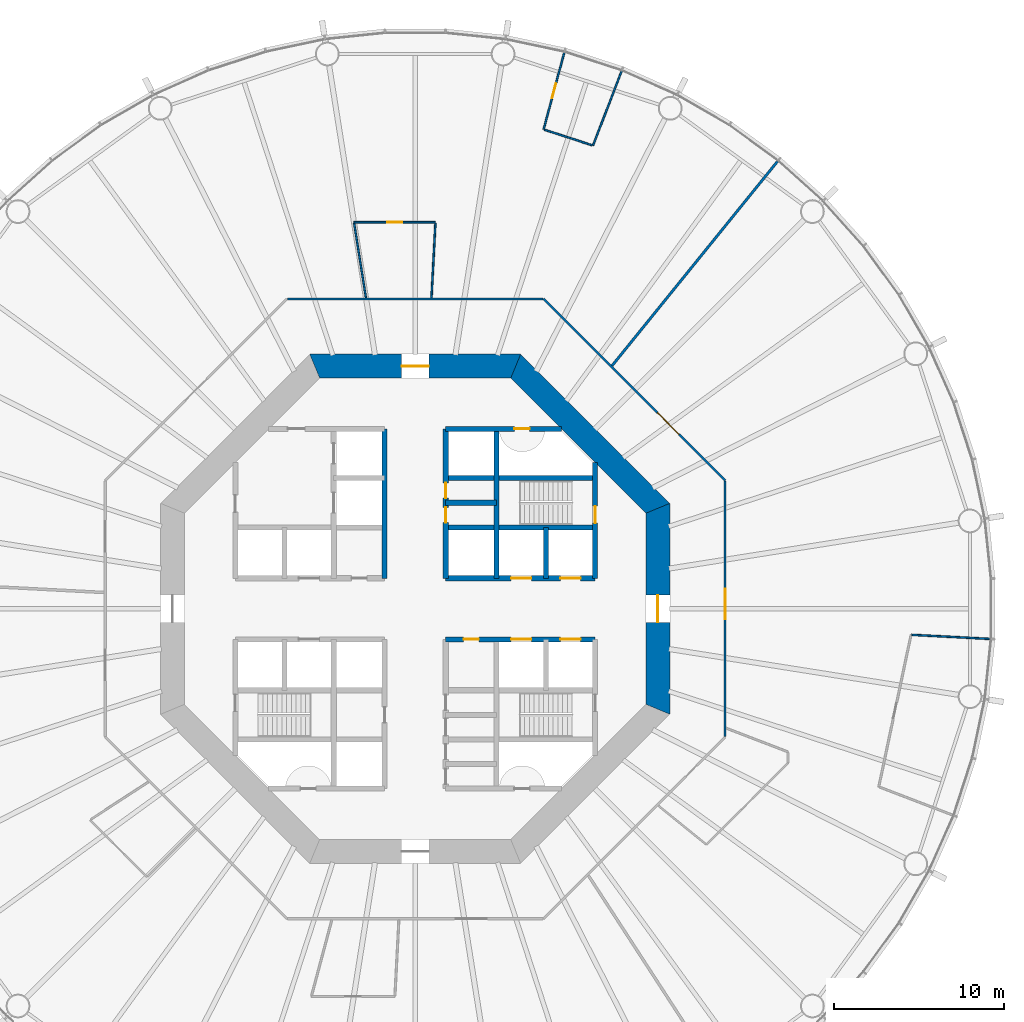
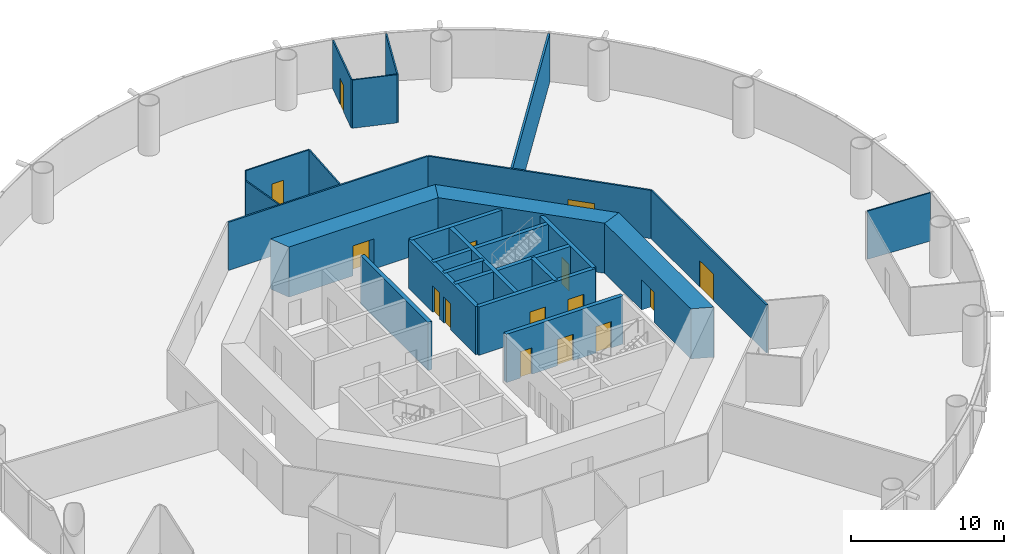
# One storey, part 5 of 13: 25 walls, 15 doors, 15 openings.
"""IFC4 building model written with IfcOpenShell, lengths in metres."""

from ifc_helpers import new_model, si_unit, direction, frame, frame_2d, origin, place, context, subcontext, project, spatial, polyline, rectangle, outline, extrude, material, layer, layer_set, type_object, element, fill, save


model = new_model("IFC4")

# Units and contexts
model_context = context("Model", 3, precision=1e-05, world=origin(), true_north=direction((0.0, 1.0)))
body_context = subcontext(model_context, "Body", "Model", "MODEL_VIEW")
ifc_project = project(units=[si_unit("LENGTHUNIT", "METRE"), si_unit("AREAUNIT", "SQUARE_METRE"), si_unit("VOLUMEUNIT", "CUBIC_METRE"), si_unit("PLANEANGLEUNIT", "RADIAN"), si_unit("MASSUNIT", "GRAM", prefix="KILO")], contexts=[model_context])

# Site, building, storey
site_placement = place(None, origin())
site = spatial("IfcSite", under=ifc_project, at=site_placement, CompositionType="ELEMENT")
building_placement = place(site_placement, origin())
building = spatial("IfcBuilding", under=site, at=building_placement, Name="Entoto Ring Tower", CompositionType="ELEMENT")
storey_placement = place(building_placement, frame((0.0, 0.0, 50.0)))
storey = spatial("IfcBuildingStorey", under=building, at=storey_placement, Name="L10", CompositionType="ELEMENT", Elevation=50.0)

# Wall, opening, door
ifc_material_1 = material(Name="Concrete C40/50", Category="concrete")
ifc_layer_1 = layer(ifc_material_1, 0.300048828125)
ifc_layer_set_1 = layer_set([ifc_layer_1], Name="Concrete C40/50")
wall_type_1 = type_object("IfcWallType", Name="Core enclosure wall 300 mm reinforced concrete", PredefinedType="SOLIDWALL", material=ifc_layer_set_1)
wall_1_placement = place(storey_placement, frame((100.60009765625, 81.800048828125, 0.0), z_axis=(0.0, 0.0, 1.0), x_axis=(0.0, 1.0, 0.0)))
wall_1 = element("IfcWall", 1, at=wall_1_placement, inside=storey, type_object=wall_type_1, Name="wall-L10-002", PredefinedType="SOLIDWALL", context=body_context, shape_type="SweptSolid", body=[
    extrude(rectangle(XDim=6.833251953125, YDim=0.300048828125, at=frame_2d((3.41650390625, 0.0))), origin(), (0.0, 0.0, 1.0), 3.85009765625),
])
opening_1_placement = place(wall_1_placement, frame((3.25, 0.0, 0.0)))
opening_1 = element("IfcOpeningElement", 2, at=opening_1_placement, cuts=wall_1, Name="Opening K-65", PredefinedType="OPENING", context=body_context, shape_type="SweptSolid", body=[
    extrude(rectangle(XDim=1.0, YDim=2.10009765625, at=frame_2d((0.5, 1.050048828125))), frame((0.0, 0.16015625, 0.0), z_axis=(0.0, -1.0, 0.0), x_axis=(1.0, 0.0, 0.0)), (0.0, 0.0, 1.0), 0.320068359375),
])
ifc_material_2 = material(Name="Steel door leaf, fire rated", Category="steel")
ifc_layer_2 = layer(ifc_material_2, 0.050048828125)
ifc_layer_set_2 = layer_set([ifc_layer_2], Name="Steel door leaf, fire rated")
door_type_1 = type_object("IfcDoorType", Name="Fire door FD60 1000 x 2100 single leaf", OperationType="NOTDEFINED", PredefinedType="DOOR", material=ifc_layer_set_2)
door_1_placement = place(opening_1_placement, origin())
door_1 = element("IfcDoor", 3, at=door_1_placement, inside=storey, type_object=door_type_1, Name="Door K-65", OperationType="SINGLE_SWING_RIGHT", OverallHeight=2.10009765625, OverallWidth=1.0, PredefinedType="DOOR", context=body_context, shape_type="SweptSolid", body=[
    extrude(rectangle(XDim=1.0, YDim=2.10009765625, at=frame_2d((0.5, 1.050048828125))), frame((0.0, 0.02490234375, 0.0), z_axis=(0.0, -1.0, 0.0), x_axis=(1.0, 0.0, 0.0)), (0.0, 0.0, 1.0), 0.050048828125),
])
fill(opening_1, door_1)

# Walls
wall_2_placement = place(storey_placement, frame((97.699951171875, 81.800048828125, 0.0), z_axis=(0.0, 0.0, 1.0), x_axis=(0.0, 1.0, 0.0)))
element("IfcWall", 4, at=wall_2_placement, inside=storey, type_object=wall_type_1, Name="wall-L10-004", PredefinedType="SOLIDWALL", context=body_context, shape_type="SweptSolid", body=[
    extrude(rectangle(XDim=3.0, YDim=0.300048828125, at=frame_2d((1.5, 0.0))), origin(), (0.0, 0.0, 1.0), 3.85009765625),
])
wall_3_placement = place(storey_placement, frame((94.800048828125, 81.800048828125, 0.0), z_axis=(0.0, 0.0, 1.0), x_axis=(0.0, 1.0, 0.0)))
element("IfcWall", 5, at=wall_3_placement, inside=storey, type_object=wall_type_1, Name="wall-L10-006", PredefinedType="SOLIDWALL", context=body_context, shape_type="SweptSolid", body=[
    extrude(rectangle(XDim=8.800048828125, YDim=0.300048828125, at=frame_2d((4.39990234375, 0.0))), origin(), (0.0, 0.0, 1.0), 3.85009765625),
])

# Wall, openings, doors
wall_4_placement = place(storey_placement, frame((91.800048828125, 81.800048828125, 0.0), z_axis=(0.0, 0.0, 1.0), x_axis=(0.0, 1.0, 0.0)))
wall_4 = element("IfcWall", 6, at=wall_4_placement, inside=storey, type_object=wall_type_1, Name="wall-L10-008", PredefinedType="SOLIDWALL", context=body_context, shape_type="SweptSolid", body=[
    extrude(rectangle(XDim=8.800048828125, YDim=0.300048828125, at=frame_2d((4.39990234375, 0.0))), origin(), (0.0, 0.0, 1.0), 3.85009765625),
])
opening_2_placement = place(wall_4_placement, frame((3.27490234375, 0.0, 0.0)))
opening_2 = element("IfcOpeningElement", 7, at=opening_2_placement, cuts=wall_4, Name="Opening K-11", PredefinedType="OPENING", context=body_context, shape_type="SweptSolid", body=[
    extrude(rectangle(XDim=0.89990234375, YDim=2.10009765625, at=frame_2d((0.449951171875, 1.050048828125))), frame((0.0, 0.16015625, 0.0), z_axis=(0.0, -1.0, 0.0), x_axis=(1.0, 0.0, 0.0)), (0.0, 0.0, 1.0), 0.320068359375),
])
opening_3_placement = place(wall_4_placement, frame((4.72509765625, 0.0, 0.0)))
opening_3 = element("IfcOpeningElement", 8, at=opening_3_placement, cuts=wall_4, Name="Opening K-12", PredefinedType="OPENING", context=body_context, shape_type="SweptSolid", body=[
    extrude(rectangle(XDim=0.89990234375, YDim=2.10009765625, at=frame_2d((0.449951171875, 1.050048828125))), frame((0.0, 0.16015625, 0.0), z_axis=(0.0, -1.0, 0.0), x_axis=(1.0, 0.0, 0.0)), (0.0, 0.0, 1.0), 0.320068359375),
])
ifc_material_3 = material(Name="Steel door leaf, fire rated", Category="steel")
ifc_layer_3 = layer(ifc_material_3, 0.050048828125)
ifc_layer_set_3 = layer_set([ifc_layer_3], Name="Steel door leaf, fire rated")
door_type_2 = type_object("IfcDoorType", Name="Core door 900 x 2100 single leaf", OperationType="NOTDEFINED", PredefinedType="DOOR", material=ifc_layer_set_3)
door_2_placement = place(opening_2_placement, origin())
door_2 = element("IfcDoor", 9, at=door_2_placement, inside=storey, type_object=door_type_2, Name="Door K-11", OperationType="SINGLE_SWING_RIGHT", OverallHeight=2.10009765625, OverallWidth=0.89990234375, PredefinedType="DOOR", context=body_context, shape_type="SweptSolid", body=[
    extrude(rectangle(XDim=0.89990234375, YDim=2.10009765625, at=frame_2d((0.449951171875, 1.050048828125))), frame((0.0, 0.02490234375, 0.0), z_axis=(0.0, -1.0, 0.0), x_axis=(1.0, 0.0, 0.0)), (0.0, 0.0, 1.0), 0.050048828125),
])
fill(opening_2, door_2)
door_3_placement = place(opening_3_placement, origin())
door_3 = element("IfcDoor", 10, at=door_3_placement, inside=storey, type_object=door_type_2, Name="Door K-12", OperationType="SINGLE_SWING_RIGHT", OverallHeight=2.10009765625, OverallWidth=0.89990234375, PredefinedType="DOOR", context=body_context, shape_type="SweptSolid", body=[
    extrude(rectangle(XDim=0.89990234375, YDim=2.10009765625, at=frame_2d((0.449951171875, 1.050048828125))), frame((0.0, 0.02490234375, 0.0), z_axis=(0.0, -1.0, 0.0), x_axis=(1.0, 0.0, 0.0)), (0.0, 0.0, 1.0), 0.050048828125),
])
fill(opening_3, door_3)

# Wall
wall_5_placement = place(storey_placement, frame((88.199951171875, 81.800048828125, 0.0), z_axis=(0.0, 0.0, 1.0), x_axis=(0.0, 1.0, 0.0)))
element("IfcWall", 11, at=wall_5_placement, inside=storey, type_object=wall_type_1, Name="wall-L10-010", PredefinedType="SOLIDWALL", context=body_context, shape_type="SweptSolid", body=[
    extrude(rectangle(XDim=8.800048828125, YDim=0.300048828125, at=frame_2d((4.39990234375, 0.0))), origin(), (0.0, 0.0, 1.0), 3.85009765625),
])

# Wall, openings, doors
wall_6_placement = place(storey_placement, frame((91.800048828125, 78.199951171875, 0.0), z_axis=(0.0, 0.0, 1.0), x_axis=(1.0, 0.0, 0.0)))
wall_6 = element("IfcWall", 12, at=wall_6_placement, inside=storey, type_object=wall_type_1, Name="wall-L10-026", PredefinedType="SOLIDWALL", context=body_context, shape_type="SweptSolid", body=[
    extrude(rectangle(XDim=8.800048828125, YDim=0.300048828125, at=frame_2d((4.39990234375, 0.0))), origin(), (0.0, 0.0, 1.0), 3.85009765625),
])
opening_4_placement = place(wall_6_placement, frame((3.85009765625, 0.0, 0.0)))
opening_4 = element("IfcOpeningElement", 13, at=opening_4_placement, cuts=wall_6, Name="Opening LD", PredefinedType="OPENING", context=body_context, shape_type="SweptSolid", body=[
    extrude(rectangle(XDim=1.199951171875, YDim=2.10009765625, at=frame_2d((0.60009765625, 1.050048828125))), frame((0.0, 0.16015625, 0.0), z_axis=(0.0, -1.0, 0.0), x_axis=(1.0, 0.0, 0.0)), (0.0, 0.0, 1.0), 0.320068359375),
])
opening_5_placement = place(wall_6_placement, frame((6.75, 0.0, 0.0)))
opening_5 = element("IfcOpeningElement", 14, at=opening_5_placement, cuts=wall_6, Name="Opening LD", PredefinedType="OPENING", context=body_context, shape_type="SweptSolid", body=[
    extrude(rectangle(XDim=1.199951171875, YDim=2.10009765625, at=frame_2d((0.60009765625, 1.050048828125))), frame((0.0, 0.16015625, 0.0), z_axis=(0.0, -1.0, 0.0), x_axis=(1.0, 0.0, 0.0)), (0.0, 0.0, 1.0), 0.320068359375),
])
opening_6_placement = place(wall_6_placement, frame((1.050048828125, 0.0, 0.0)))
opening_6 = element("IfcOpeningElement", 15, at=opening_6_placement, cuts=wall_6, Name="Opening K-19", PredefinedType="OPENING", context=body_context, shape_type="SweptSolid", body=[
    extrude(rectangle(XDim=0.89990234375, YDim=2.10009765625, at=frame_2d((0.449951171875, 1.050048828125))), frame((0.0, 0.16015625, 0.0), z_axis=(0.0, -1.0, 0.0), x_axis=(1.0, 0.0, 0.0)), (0.0, 0.0, 1.0), 0.320068359375),
])
door_4_placement = place(opening_6_placement, frame((0.89990234375, 0.0, 0.0), z_axis=(0.0, 0.0, 1.0), x_axis=(-1.0, 0.0, 0.0)))
door_4 = element("IfcDoor", 16, at=door_4_placement, inside=storey, type_object=door_type_2, Name="Door K-19", OperationType="SINGLE_SWING_RIGHT", OverallHeight=2.10009765625, OverallWidth=0.89990234375, PredefinedType="DOOR", context=body_context, shape_type="SweptSolid", body=[
    extrude(rectangle(XDim=0.89990234375, YDim=2.10009765625, at=frame_2d((0.449951171875, 1.050048828125))), frame((0.0, 0.02490234375, 0.0), z_axis=(0.0, -1.0, 0.0), x_axis=(1.0, 0.0, 0.0)), (0.0, 0.0, 1.0), 0.050048828125),
])
fill(opening_6, door_4)
ifc_material_4 = material(Name="Steel and glass door leaf", Category="steel")
ifc_layer_4 = layer(ifc_material_4, 0.050048828125)
ifc_layer_set_4 = layer_set([ifc_layer_4], Name="Steel and glass door leaf")
door_type_3 = type_object("IfcDoorType", Name="Landing door 1200 x 2100 sliding", OperationType="DOUBLE_DOOR_SLIDING", PredefinedType="DOOR", material=ifc_layer_set_4)
door_5_placement = place(opening_4_placement, origin())
door_5 = element("IfcDoor", 17, at=door_5_placement, inside=storey, type_object=door_type_3, Name="Landing door LB4-LR", OperationType="SLIDING_TO_RIGHT", OverallHeight=2.10009765625, OverallWidth=1.199951171875, PredefinedType="DOOR", context=body_context, shape_type="SweptSolid", body=[
    extrude(rectangle(XDim=1.199951171875, YDim=2.10009765625, at=frame_2d((0.60009765625, 1.050048828125))), frame((0.0, 0.02490234375, 0.0), z_axis=(0.0, -1.0, 0.0), x_axis=(1.0, 0.0, 0.0)), (0.0, 0.0, 1.0), 0.050048828125),
])
fill(opening_4, door_5)
door_6_placement = place(opening_5_placement, origin())
door_6 = element("IfcDoor", 18, at=door_6_placement, inside=storey, type_object=door_type_3, Name="Landing door LB5-LR", OperationType="SLIDING_TO_RIGHT", OverallHeight=2.10009765625, OverallWidth=1.199951171875, PredefinedType="DOOR", context=body_context, shape_type="SweptSolid", body=[
    extrude(rectangle(XDim=1.199951171875, YDim=2.10009765625, at=frame_2d((0.60009765625, 1.050048828125))), frame((0.0, 0.02490234375, 0.0), z_axis=(0.0, -1.0, 0.0), x_axis=(1.0, 0.0, 0.0)), (0.0, 0.0, 1.0), 0.050048828125),
])
fill(opening_5, door_6)

wall_7_placement = place(storey_placement, frame((91.800048828125, 81.800048828125, 0.0), z_axis=(0.0, 0.0, 1.0), x_axis=(1.0, 0.0, 0.0)))
wall_7 = element("IfcWall", 19, at=wall_7_placement, inside=storey, type_object=wall_type_1, Name="wall-L10-028", PredefinedType="SOLIDWALL", context=body_context, shape_type="SweptSolid", body=[
    extrude(rectangle(XDim=8.800048828125, YDim=0.300048828125, at=frame_2d((4.39990234375, 0.0))), origin(), (0.0, 0.0, 1.0), 3.85009765625),
])
opening_7_placement = place(wall_7_placement, frame((3.85009765625, 0.0, 0.0)))
opening_7 = element("IfcOpeningElement", 20, at=opening_7_placement, cuts=wall_7, Name="Opening LD", PredefinedType="OPENING", context=body_context, shape_type="SweptSolid", body=[
    extrude(rectangle(XDim=1.199951171875, YDim=2.10009765625, at=frame_2d((0.60009765625, 1.050048828125))), frame((0.0, 0.16015625, 0.0), z_axis=(0.0, -1.0, 0.0), x_axis=(1.0, 0.0, 0.0)), (0.0, 0.0, 1.0), 0.320068359375),
])
opening_8_placement = place(wall_7_placement, frame((6.75, 0.0, 0.0)))
opening_8 = element("IfcOpeningElement", 21, at=opening_8_placement, cuts=wall_7, Name="Opening LD", PredefinedType="OPENING", context=body_context, shape_type="SweptSolid", body=[
    extrude(rectangle(XDim=1.199951171875, YDim=2.10009765625, at=frame_2d((0.60009765625, 1.050048828125))), frame((0.0, 0.16015625, 0.0), z_axis=(0.0, -1.0, 0.0), x_axis=(1.0, 0.0, 0.0)), (0.0, 0.0, 1.0), 0.320068359375),
])
door_7_placement = place(opening_7_placement, origin())
door_7 = element("IfcDoor", 22, at=door_7_placement, inside=storey, type_object=door_type_3, Name="Landing door LB1-LR", OperationType="SLIDING_TO_RIGHT", OverallHeight=2.10009765625, OverallWidth=1.199951171875, PredefinedType="DOOR", context=body_context, shape_type="SweptSolid", body=[
    extrude(rectangle(XDim=1.199951171875, YDim=2.10009765625, at=frame_2d((0.60009765625, 1.050048828125))), frame((0.0, 0.02490234375, 0.0), z_axis=(0.0, -1.0, 0.0), x_axis=(1.0, 0.0, 0.0)), (0.0, 0.0, 1.0), 0.050048828125),
])
fill(opening_7, door_7)
door_8_placement = place(opening_8_placement, origin())
door_8 = element("IfcDoor", 23, at=door_8_placement, inside=storey, type_object=door_type_3, Name="Landing door LB2-LR", OperationType="SLIDING_TO_RIGHT", OverallHeight=2.10009765625, OverallWidth=1.199951171875, PredefinedType="DOOR", context=body_context, shape_type="SweptSolid", body=[
    extrude(rectangle(XDim=1.199951171875, YDim=2.10009765625, at=frame_2d((0.60009765625, 1.050048828125))), frame((0.0, 0.02490234375, 0.0), z_axis=(0.0, -1.0, 0.0), x_axis=(1.0, 0.0, 0.0)), (0.0, 0.0, 1.0), 0.050048828125),
])
fill(opening_8, door_8)

# Walls
wall_8_placement = place(storey_placement, frame((91.800048828125, 84.800048828125, 0.0), z_axis=(0.0, 0.0, 1.0), x_axis=(1.0, 0.0, 0.0)))
element("IfcWall", 24, at=wall_8_placement, inside=storey, type_object=wall_type_1, Name="wall-L10-030", PredefinedType="SOLIDWALL", context=body_context, shape_type="SweptSolid", body=[
    extrude(rectangle(XDim=8.800048828125, YDim=0.300048828125, at=frame_2d((4.39990234375, 0.0))), origin(), (0.0, 0.0, 1.0), 3.85009765625),
])
wall_9_placement = place(storey_placement, frame((91.800048828125, 86.25, 0.0), z_axis=(0.0, 0.0, 1.0), x_axis=(1.0, 0.0, 0.0)))
element("IfcWall", 25, at=wall_9_placement, inside=storey, type_object=wall_type_1, Name="wall-L10-031", PredefinedType="SOLIDWALL", context=body_context, shape_type="SweptSolid", body=[
    extrude(rectangle(XDim=3.0, YDim=0.300048828125, at=frame_2d((1.5, 0.0))), origin(), (0.0, 0.0, 1.0), 3.85009765625),
])
wall_10_placement = place(storey_placement, frame((91.800048828125, 87.699951171875, 0.0), z_axis=(0.0, 0.0, 1.0), x_axis=(1.0, 0.0, 0.0)))
element("IfcWall", 26, at=wall_10_placement, inside=storey, type_object=wall_type_1, Name="wall-L10-033", PredefinedType="SOLIDWALL", context=body_context, shape_type="SweptSolid", body=[
    extrude(rectangle(XDim=8.800048828125, YDim=0.300048828125, at=frame_2d((4.39990234375, 0.0))), origin(), (0.0, 0.0, 1.0), 3.85009765625),
])

# Wall, opening, door
wall_11_placement = place(storey_placement, frame((91.800048828125, 90.60009765625, 0.0), z_axis=(0.0, 0.0, 1.0), x_axis=(1.0, 0.0, 0.0)))
wall_11 = element("IfcWall", 27, at=wall_11_placement, inside=storey, type_object=wall_type_1, Name="wall-L10-035", PredefinedType="SOLIDWALL", context=body_context, shape_type="SweptSolid", body=[
    extrude(rectangle(XDim=6.833251953125, YDim=0.300048828125, at=frame_2d((3.41650390625, 0.0))), origin(), (0.0, 0.0, 1.0), 3.85009765625),
])
opening_9_placement = place(wall_11_placement, frame((4.050048828125, 0.0, 0.0)))
opening_9 = element("IfcOpeningElement", 28, at=opening_9_placement, cuts=wall_11, Name="Opening K-72", PredefinedType="OPENING", context=body_context, shape_type="SweptSolid", body=[
    extrude(rectangle(XDim=0.89990234375, YDim=2.10009765625, at=frame_2d((0.449951171875, 1.050048828125))), frame((0.0, 0.16015625, 0.0), z_axis=(0.0, -1.0, 0.0), x_axis=(1.0, 0.0, 0.0)), (0.0, 0.0, 1.0), 0.320068359375),
])
ifc_material_5 = material(Name="Steel door leaf, fire rated", Category="steel")
ifc_layer_5 = layer(ifc_material_5, 0.050048828125)
ifc_layer_set_5 = layer_set([ifc_layer_5], Name="Steel door leaf, fire rated")
door_type_4 = type_object("IfcDoorType", Name="Riser door FD60 900 x 2100 single leaf", OperationType="NOTDEFINED", PredefinedType="DOOR", material=ifc_layer_set_5)
door_9_placement = place(opening_9_placement, frame((0.89990234375, 0.0, 0.0), z_axis=(0.0, 0.0, 1.0), x_axis=(-1.0, 0.0, 0.0)))
door_9 = element("IfcDoor", 29, at=door_9_placement, inside=storey, type_object=door_type_4, Name="Door K-72", OperationType="SINGLE_SWING_LEFT", OverallHeight=2.10009765625, OverallWidth=0.89990234375, PredefinedType="DOOR", context=body_context, shape_type="SweptSolid", body=[
    extrude(rectangle(XDim=0.89990234375, YDim=2.10009765625, at=frame_2d((0.449951171875, 1.050048828125))), frame((0.0, 0.02490234375, 0.0), z_axis=(0.0, -1.0, 0.0), x_axis=(1.0, 0.0, 0.0)), (0.0, 0.0, 1.0), 0.050048828125),
])
fill(opening_9, door_9)

ifc_material_6 = material(Name="Concrete C60/75", Category="concrete")
ifc_layer_6 = layer(ifc_material_6, 1.39990234375)
ifc_layer_set_6 = layer_set([ifc_layer_6], Name="Concrete C60/75")
wall_type_2 = type_object("IfcWallType", Name="Core shear wall 1400 mm reinforced concrete C60/75", PredefinedType="SHEAR", material=ifc_layer_set_6)
wall_12_placement = place(storey_placement, frame((104.300048828125, 74.07666015625, 0.0), z_axis=(0.0, 0.0, 1.0), x_axis=(0.0, 1.0, 0.0)))
wall_12 = element("IfcWall", 30, at=wall_12_placement, inside=storey, type_object=wall_type_2, Name="wall-L10-core-0", PredefinedType="SHEAR", context=body_context, shape_type="SweptSolid", body=[
    extrude(outline(polyline([(-0.2900390625, -0.699951171875), (12.13671875, -0.699951171875), (11.556640625, 0.699951171875), (0.2900390625, 0.699951171875), (-0.2900390625, -0.699951171875)])), origin(), (0.0, 0.0, 1.0), 4.0),
])
opening_10_placement = place(wall_12_placement, frame((5.123291015625, 0.0, 0.0)))
opening_10 = element("IfcOpeningElement", 31, at=opening_10_placement, cuts=wall_12, Name="Opening K-01", PredefinedType="OPENING", context=body_context, shape_type="SweptSolid", body=[
    extrude(rectangle(XDim=1.60009765625, YDim=2.39990234375, at=frame_2d((0.800048828125, 1.199951171875))), frame((0.0, 0.7099609375, 0.0), z_axis=(0.0, -1.0, 0.0), x_axis=(1.0, 0.0, 0.0)), (0.0, 0.0, 1.0), 1.419921875),
])
ifc_material_7 = material(Name="Steel door leaf, fire rated", Category="steel")
ifc_layer_7 = layer(ifc_material_7, 0.050048828125)
ifc_layer_set_7 = layer_set([ifc_layer_7], Name="Steel door leaf, fire rated")
door_type_5 = type_object("IfcDoorType", Name="Entrance door FD60 1600 x 2400 double leaf", OperationType="DOUBLE_DOOR_SINGLE_SWING", PredefinedType="DOOR", material=ifc_layer_set_7)
door_10_placement = place(opening_10_placement, origin())
door_10 = element("IfcDoor", 32, at=door_10_placement, inside=storey, type_object=door_type_5, Name="Entrance door K-01", OperationType="DOUBLE_DOOR_SINGLE_SWING", OverallHeight=2.39990234375, OverallWidth=1.60009765625, PredefinedType="DOOR", context=body_context, shape_type="SweptSolid", body=[
    extrude(rectangle(XDim=1.60009765625, YDim=2.39990234375, at=frame_2d((0.800048828125, 1.199951171875))), frame((0.0, 0.02490234375, 0.0), z_axis=(0.0, -1.0, 0.0), x_axis=(1.0, 0.0, 0.0)), (0.0, 0.0, 1.0), 0.050048828125),
])
fill(opening_10, door_10)

# Wall
wall_13_placement = place(storey_placement, frame((104.300048828125, 85.92333984375, 0.0), z_axis=(0.0, 0.0, 1.0), x_axis=(-0.707106781187, 0.707106781187, 0.0)))
element("IfcWall", 33, at=wall_13_placement, inside=storey, type_object=wall_type_2, Name="wall-L10-core-1", PredefinedType="SHEAR", context=body_context, shape_type="SweptSolid", body=[
    extrude(outline(polyline([(-0.2900390625, -0.699951171875), (12.136474609375, -0.699951171875), (11.556396484375, 0.699951171875), (0.2900390625, 0.699951171875), (-0.2900390625, -0.699951171875)])), origin(), (0.0, 0.0, 1.0), 4.0),
])

# Wall, opening, door
wall_14_placement = place(storey_placement, frame((95.92333984375, 94.300048828125, 0.0), z_axis=(0.0, 0.0, 1.0), x_axis=(-1.0, 0.0, 0.0)))
wall_14 = element("IfcWall", 34, at=wall_14_placement, inside=storey, type_object=wall_type_2, Name="wall-L10-core-2", PredefinedType="SHEAR", context=body_context, shape_type="SweptSolid", body=[
    extrude(outline(polyline([(-0.2900390625, -0.699951171875), (12.13671875, -0.699951171875), (11.556640625, 0.699951171875), (0.2900390625, 0.699951171875), (-0.2900390625, -0.699951171875)])), origin(), (0.0, 0.0, 1.0), 4.0),
])
opening_11_placement = place(wall_14_placement, frame((5.123291015625, 0.0, 0.0)))
opening_11 = element("IfcOpeningElement", 35, at=opening_11_placement, cuts=wall_14, Name="Opening K-02", PredefinedType="OPENING", context=body_context, shape_type="SweptSolid", body=[
    extrude(rectangle(XDim=1.60009765625, YDim=2.39990234375, at=frame_2d((0.800048828125, 1.199951171875))), frame((0.0, 0.7099609375, 0.0), z_axis=(0.0, -1.0, 0.0), x_axis=(1.0, 0.0, 0.0)), (0.0, 0.0, 1.0), 1.419921875),
])
door_11_placement = place(opening_11_placement, origin())
door_11 = element("IfcDoor", 36, at=door_11_placement, inside=storey, type_object=door_type_5, Name="Entrance door K-02", OperationType="DOUBLE_DOOR_SINGLE_SWING", OverallHeight=2.39990234375, OverallWidth=1.60009765625, PredefinedType="DOOR", context=body_context, shape_type="SweptSolid", body=[
    extrude(rectangle(XDim=1.60009765625, YDim=2.39990234375, at=frame_2d((0.800048828125, 1.199951171875))), frame((0.0, 0.02490234375, 0.0), z_axis=(0.0, -1.0, 0.0), x_axis=(1.0, 0.0, 0.0)), (0.0, 0.0, 1.0), 0.050048828125),
])
fill(opening_11, door_11)

ifc_material_8 = material(Name="Fire-resisting plasterboard on steel studs", Category="steel")
ifc_layer_8 = layer(ifc_material_8, 0.125)
ifc_layer_set_8 = layer_set([ifc_layer_8], Name="Fire-resisting plasterboard on steel studs")
wall_type_3 = type_object("IfcWallType", Name="Corridor wall 125 mm one-hour plasterboard on steel studs", PredefinedType="PARTITIONING", material=ifc_layer_set_8)
wall_15_placement = place(storey_placement, frame((108.262451171875, 87.564697265625, 0.0), z_axis=(0.0, 0.0, 1.0), x_axis=(-0.707106781187, 0.707106781187, 0.0)))
wall_15 = element("IfcWall", 37, at=wall_15_placement, inside=storey, type_object=wall_type_3, Name="partition-L10-004", PredefinedType="PARTITIONING", context=body_context, shape_type="SweptSolid", body=[
    extrude(rectangle(XDim=15.12890625, YDim=0.125, at=frame_2d((7.564453125, 0.0))), origin(), (0.0, 0.0, 1.0), 3.85009765625),
])
opening_12_placement = place(wall_15_placement, frame((3.842041015625, 0.0, 0.0)))
opening_12 = element("IfcOpeningElement", 38, at=opening_12_placement, cuts=wall_15, Name="Opening A04-D07", PredefinedType="OPENING", context=body_context, shape_type="SweptSolid", body=[
    extrude(rectangle(XDim=1.800048828125, YDim=2.10009765625, at=frame_2d((0.89990234375, 1.050048828125))), frame((0.0, 0.072509765625, 0.0), z_axis=(0.0, -1.0, 0.0), x_axis=(1.0, 0.0, 0.0)), (0.0, 0.0, 1.0), 0.14501953125),
])
ifc_material_9 = material(Name="Fire-resisting timber door set", Category="wood")
door_type_6 = type_object("IfcDoorType", Name="Door 1800 x 2100 double leaf FD30S fire door", OperationType="DOUBLE_DOOR_SINGLE_SWING", PredefinedType="DOOR", material=ifc_material_9)
door_12_placement = place(opening_12_placement, origin())
door_12 = element("IfcDoor", 39, at=door_12_placement, inside=storey, type_object=door_type_6, Name="Door A04-D07", OperationType="DOUBLE_DOOR_SINGLE_SWING", OverallHeight=2.10009765625, OverallWidth=1.800048828125, PredefinedType="DOOR", context=body_context, shape_type="SweptSolid", body=[
    extrude(rectangle(XDim=1.800048828125, YDim=2.10009765625, at=frame_2d((0.89990234375, 1.050048828125))), frame((0.0, 0.02490234375, 0.0), z_axis=(0.0, -1.0, 0.0), x_axis=(1.0, 0.0, 0.0)), (0.0, 0.0, 1.0), 0.050048828125),
])
fill(opening_12, door_12)

# Wall
wall_16_placement = place(storey_placement, frame((82.4794921875, 98.262451171875, 0.0), z_axis=(0.0, 0.0, 1.0), x_axis=(1.0, 0.0, 0.0)))
element("IfcWall", 40, at=wall_16_placement, inside=storey, type_object=wall_type_3, Name="partition-L10-007", PredefinedType="PARTITIONING", context=body_context, shape_type="SweptSolid", body=[
    extrude(rectangle(XDim=15.041015625, YDim=0.125, at=frame_2d((7.5205078125, 0.0))), origin(), (0.0, 0.0, 1.0), 3.85009765625),
])

# Wall, opening, door
wall_17_placement = place(storey_placement, frame((108.262451171875, 72.4794921875, 0.0), z_axis=(0.0, 0.0, 1.0), x_axis=(0.0, 1.0, 0.0)))
wall_17 = element("IfcWall", 41, at=wall_17_placement, inside=storey, type_object=wall_type_3, Name="partition-L10-008", PredefinedType="PARTITIONING", context=body_context, shape_type="SweptSolid", body=[
    extrude(rectangle(XDim=15.041015625, YDim=0.125, at=frame_2d((7.5205078125, 0.0))), origin(), (0.0, 0.0, 1.0), 3.85009765625),
])
opening_13_placement = place(wall_17_placement, frame((6.897705078125, 0.0, 0.0)))
opening_13 = element("IfcOpeningElement", 42, at=opening_13_placement, cuts=wall_17, Name="Opening A04-D06", PredefinedType="OPENING", context=body_context, shape_type="SweptSolid", body=[
    extrude(rectangle(XDim=1.800048828125, YDim=2.10009765625, at=frame_2d((0.89990234375, 1.050048828125))), frame((0.0, 0.072509765625, 0.0), z_axis=(0.0, -1.0, 0.0), x_axis=(1.0, 0.0, 0.0)), (0.0, 0.0, 1.0), 0.14501953125),
])
door_13_placement = place(opening_13_placement, origin())
door_13 = element("IfcDoor", 43, at=door_13_placement, inside=storey, type_object=door_type_6, Name="Door A04-D06", OperationType="DOUBLE_DOOR_SINGLE_SWING", OverallHeight=2.10009765625, OverallWidth=1.800048828125, PredefinedType="DOOR", context=body_context, shape_type="SweptSolid", body=[
    extrude(rectangle(XDim=1.800048828125, YDim=2.10009765625, at=frame_2d((0.89990234375, 1.050048828125))), frame((0.0, 0.02490234375, 0.0), z_axis=(0.0, -1.0, 0.0), x_axis=(1.0, 0.0, 0.0)), (0.0, 0.0, 1.0), 0.050048828125),
])
fill(opening_13, door_13)

ifc_material_10 = material(Name="Plasterboard on steel studs", Category="steel")
ifc_layer_9 = layer(ifc_material_10, 0.10009765625)
ifc_layer_set_9 = layer_set([ifc_layer_9], Name="Plasterboard on steel studs")
wall_type_4 = type_object("IfcWallType", Name="Partition 100 mm plasterboard on steel studs", PredefinedType="PARTITIONING", material=ifc_layer_set_9)
wall_18_placement = place(storey_placement, frame((86.393310546875, 102.7724609375, 0.0), z_axis=(0.0, 0.0, 1.0), x_axis=(1.0, 0.0, 0.0)))
wall_18 = element("IfcWall", 44, at=wall_18_placement, inside=storey, type_object=wall_type_4, Name="partition-L10-017", PredefinedType="PARTITIONING", context=body_context, shape_type="SweptSolid", body=[
    extrude(rectangle(XDim=4.80029296875, YDim=0.10009765625, at=frame_2d((2.400146484375, 0.0))), origin(), (0.0, 0.0, 1.0), 3.85009765625),
])
opening_14_placement = place(wall_18_placement, frame((1.9501953125, 0.0, 0.0)))
opening_14 = element("IfcOpeningElement", 45, at=opening_14_placement, cuts=wall_18, Name="Opening A04-D13", PredefinedType="OPENING", context=body_context, shape_type="SweptSolid", body=[
    extrude(rectangle(XDim=0.89990234375, YDim=2.10009765625, at=frame_2d((0.449951171875, 1.050048828125))), frame((0.0, 0.06005859375, 0.0), z_axis=(0.0, -1.0, 0.0), x_axis=(1.0, 0.0, 0.0)), (0.0, 0.0, 1.0), 0.1201171875),
])
ifc_material_11 = material(Name="Veneered timber door leaf in timber frame", Category="wood")
door_type_7 = type_object("IfcDoorType", Name="Door 900 x 2100 single leaf timber veneer", OperationType="NOTDEFINED", PredefinedType="DOOR", material=ifc_material_11)
door_14_placement = place(opening_14_placement, frame((0.89990234375, 0.0, 0.0), z_axis=(0.0, 0.0, 1.0), x_axis=(-1.0, 0.0, 0.0)))
door_14 = element("IfcDoor", 46, at=door_14_placement, inside=storey, type_object=door_type_7, Name="Door A04-D13", OperationType="SINGLE_SWING_RIGHT", OverallHeight=2.10009765625, OverallWidth=0.89990234375, PredefinedType="DOOR", context=body_context, shape_type="SweptSolid", body=[
    extrude(rectangle(XDim=0.89990234375, YDim=2.10009765625, at=frame_2d((0.449951171875, 1.050048828125))), frame((0.0, 0.02490234375, 0.0), z_axis=(0.0, -1.0, 0.0), x_axis=(1.0, 0.0, 0.0)), (0.0, 0.0, 1.0), 0.050048828125),
])
fill(opening_14, door_14)

wall_19_placement = place(storey_placement, frame((97.56787109375, 108.24365234375, 0.0), z_axis=(0.0, 0.0, 1.0), x_axis=(0.258794073665, 0.96593251702, 0.0)))
wall_19 = element("IfcWall", 47, at=wall_19_placement, inside=storey, type_object=wall_type_4, Name="partition-L10-020", PredefinedType="PARTITIONING", context=body_context, shape_type="SweptSolid", body=[
    extrude(rectangle(XDim=4.699951171875, YDim=0.10009765625, at=frame_2d((2.35009765625, 0.0))), origin(), (0.0, 0.0, 1.0), 3.85009765625),
])
opening_15_placement = place(wall_19_placement, frame((1.89990234375, 0.0, 0.0)))
opening_15 = element("IfcOpeningElement", 48, at=opening_15_placement, cuts=wall_19, Name="Opening A04-D14", PredefinedType="OPENING", context=body_context, shape_type="SweptSolid", body=[
    extrude(rectangle(XDim=0.89990234375, YDim=2.10009765625, at=frame_2d((0.449951171875, 1.050048828125))), frame((0.0, 0.06005859375, 0.0), z_axis=(0.0, -1.0, 0.0), x_axis=(1.0, 0.0, 0.0)), (0.0, 0.0, 1.0), 0.1201171875),
])
door_15_placement = place(opening_15_placement, frame((0.89990234375, 0.0, 0.0), z_axis=(0.0, 0.0, 1.0), x_axis=(-1.0, 0.0, 0.0)))
door_15 = element("IfcDoor", 49, at=door_15_placement, inside=storey, type_object=door_type_7, Name="Door A04-D14", OperationType="SINGLE_SWING_LEFT", OverallHeight=2.10009765625, OverallWidth=0.89990234375, PredefinedType="DOOR", context=body_context, shape_type="SweptSolid", body=[
    extrude(rectangle(XDim=0.89990234375, YDim=2.10009765625, at=frame_2d((0.449951171875, 1.050048828125))), frame((0.0, 0.02490234375, 0.0), z_axis=(0.0, -1.0, 0.0), x_axis=(1.0, 0.0, 0.0)), (0.0, 0.0, 1.0), 0.050048828125),
])
fill(opening_15, door_15)

# Walls
wall_20_placement = place(storey_placement, frame((100.478759765625, 107.2978515625, 0.0), z_axis=(0.0, 0.0, 1.0), x_axis=(0.358359424609, 0.933583698869, 0.0)))
element("IfcWall", 50, at=wall_20_placement, inside=storey, type_object=wall_type_4, Name="partition-L10-021", PredefinedType="PARTITIONING", context=body_context, shape_type="SweptSolid", body=[
    extrude(rectangle(XDim=4.7001953125, YDim=0.10009765625, at=frame_2d((2.35009765625, 0.0))), origin(), (0.0, 0.0, 1.0), 3.85009765625),
])
wall_21_placement = place(storey_placement, frame((123.8935546875, 78.2236328125, 0.0), z_axis=(0.0, 0.0, 1.0), x_axis=(-0.998628730491, 0.052351300252, 0.0)))
element("IfcWall", 51, at=wall_21_placement, inside=storey, type_object=wall_type_4, Name="partition-L10-023", PredefinedType="PARTITIONING", context=body_context, shape_type="SweptSolid", body=[
    extrude(rectangle(XDim=4.630859375, YDim=0.10009765625, at=frame_2d((2.3154296875, 0.0))), origin(), (0.0, 0.0, 1.0), 3.85009765625),
])
wall_22_placement = place(storey_placement, frame((90.96044921875, 98.32763671875, 0.0), z_axis=(0.0, 0.0, 1.0), x_axis=(0.05234324335, 0.998629152827, 0.0)))
element("IfcWall", 52, at=wall_22_placement, inside=storey, type_object=wall_type_4, Name="partition-L10-026", PredefinedType="PARTITIONING", context=body_context, shape_type="SweptSolid", body=[
    extrude(rectangle(XDim=4.3984375, YDim=0.10009765625, at=frame_2d((2.19921875, 0.0))), origin(), (0.0, 0.0, 1.0), 3.85009765625),
])
wall_23_placement = place(storey_placement, frame((100.43115234375, 107.313232421875, 0.0), z_axis=(0.0, 0.0, 1.0), x_axis=(-0.951039522572, 0.309069290783, 0.0)))
element("IfcWall", 53, at=wall_23_placement, inside=storey, type_object=wall_type_4, Name="partition-L10-031", PredefinedType="PARTITIONING", context=body_context, shape_type="SweptSolid", body=[
    extrude(rectangle(XDim=2.960693359375, YDim=0.10009765625, at=frame_2d((1.48046875, 0.0))), origin(), (0.0, 0.0, 1.0), 3.85009765625),
])
ifc_material_12 = material(Name="Plasterboard on steel studs", Category="steel")
ifc_layer_10 = layer(ifc_material_12, 0.10009765625)
ifc_layer_set_10 = layer_set([ifc_layer_10], Name="Plasterboard on steel studs")
wall_type_5 = type_object("IfcWallType", Name="Partition 100 mm plasterboard on steel studs, 3050 mm high", PredefinedType="PARTITIONING", material=ifc_layer_set_10)
wall_24_placement = place(storey_placement, frame((87.096435546875, 98.332763671875, 0.0), z_axis=(0.0, 0.0, 1.0), x_axis=(-0.156442929455, 0.987686999926, 0.0)))
element("IfcWall", 54, at=wall_24_placement, inside=storey, type_object=wall_type_5, Name="partition-L10-025", PredefinedType="PARTITIONING", context=body_context, shape_type="SweptSolid", body=[
    extrude(rectangle(XDim=4.436767578125, YDim=0.10009765625, at=frame_2d((2.21826171875, 0.0))), origin(), (0.0, 0.0, 1.0), 3.050048828125),
])
ifc_material_13 = material(Name="Fire-resisting acoustic plasterboard on steel studs", Category="steel")
ifc_layer_11 = layer(ifc_material_13, 0.14990234375)
ifc_layer_set_11 = layer_set([ifc_layer_11], Name="Fire-resisting acoustic plasterboard on steel studs")
wall_type_6 = type_object("IfcWallType", Name="Party wall 150 mm one-hour acoustic plasterboard on steel studs", PredefinedType="PARTITIONING", material=ifc_layer_set_11)
wall_25_placement = place(storey_placement, frame((101.600830078125, 94.32568359375, 0.0), z_axis=(0.0, 0.0, 1.0), x_axis=(0.62931915396, 0.777146963231, 0.0)))
element("IfcWall", 55, at=wall_25_placement, inside=storey, type_object=wall_type_6, Name="partition-L10-010", PredefinedType="PARTITIONING", context=body_context, shape_type="SweptSolid", body=[
    extrude(rectangle(XDim=15.506103515625, YDim=0.14990234375, at=frame_2d((7.7529296875, 0.0))), origin(), (0.0, 0.0, 1.0), 3.85009765625),
])

save(model, "model.ifc")
